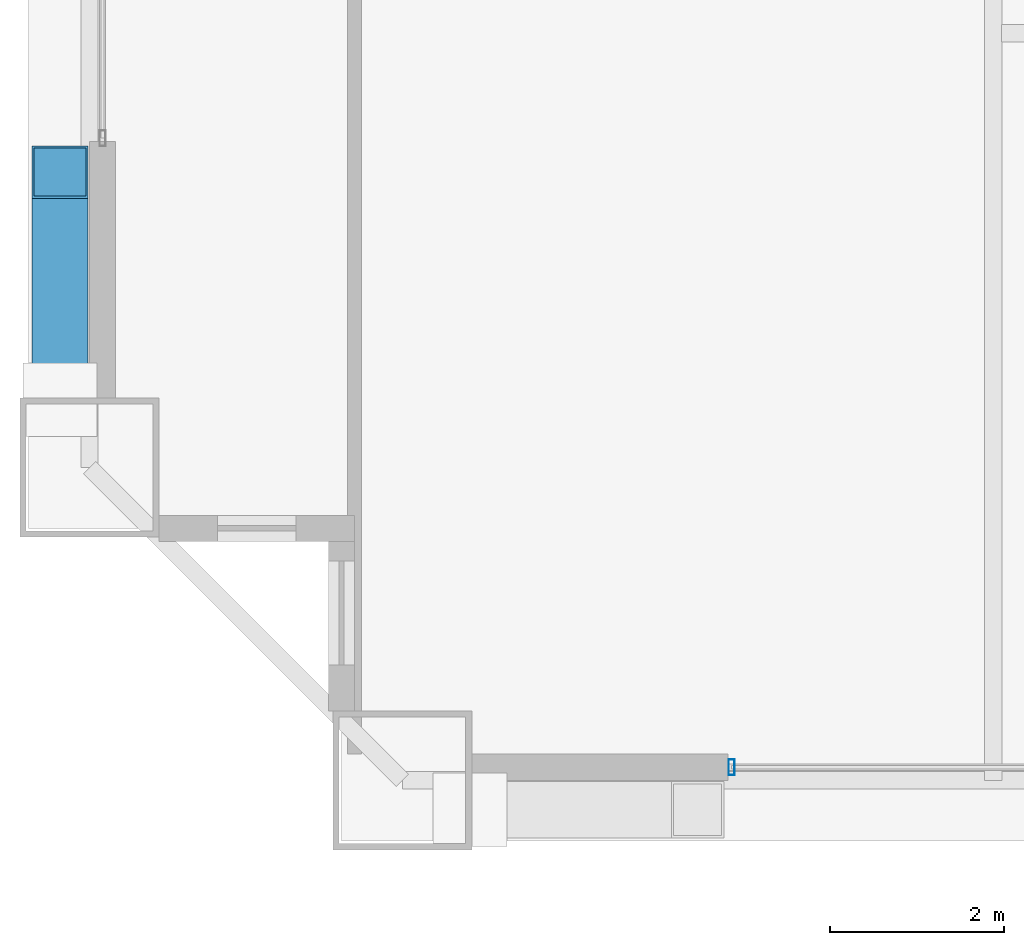
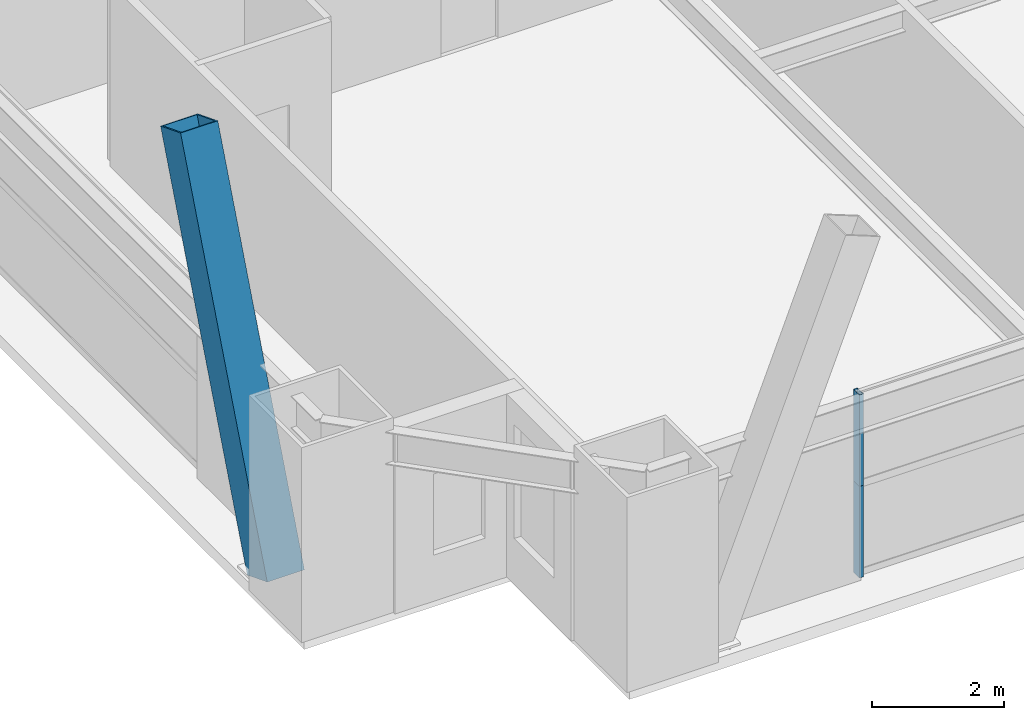
# One storey, part 4 of 43: 3 members, 1 element without a shape of its own.
"""IFC4 building model written with IfcOpenShell, lengths in metres."""

from ifc_helpers import new_model, si_unit, direction, frame, origin, origin_2d, place, context, subcontext, project, spatial, hollow_rectangle, extrude, source, transform, mapped, material, layer, layer_set, material_profile, profile_set, type_object, element, aggregate, save


model = new_model("IFC4")

# Units and contexts
model_context = context("Model", 3, precision=1e-05, world=origin(), true_north=direction((0.0, 1.0)))
body_context = subcontext(model_context, "Body", "Model", "MODEL_VIEW")
ifc_project = project(units=[si_unit("LENGTHUNIT", "METRE"), si_unit("AREAUNIT", "SQUARE_METRE"), si_unit("VOLUMEUNIT", "CUBIC_METRE"), si_unit("PLANEANGLEUNIT", "RADIAN"), si_unit("MASSUNIT", "GRAM", prefix="KILO"), si_unit("THERMODYNAMICTEMPERATUREUNIT", "KELVIN"), si_unit("POWERUNIT", "WATT")], contexts=[model_context])

# Site, building, storey
site_placement = place(None, origin())
site = spatial("IfcSite", under=ifc_project, at=site_placement, CompositionType="ELEMENT")
building_placement = place(site_placement, origin())
building = spatial("IfcBuilding", under=site, at=building_placement, Name="Yuzanri Waterfront Tower", CompositionType="ELEMENT")
storey_placement = place(building_placement, frame((0.0, 0.0, 138.0)))
storey = spatial("IfcBuildingStorey", under=building, at=storey_placement, Name="L36", CompositionType="ELEMENT", Elevation=138.0)

# Member
ifc_material_1 = material(Name="Steel Q420GJC", Category="steel")
ifc_material_profile_1 = material_profile(ifc_material_1, hollow_rectangle(XDim=0.64990234375, YDim=0.64990234375, WallThickness=0.028076171875, at=origin_2d()), Name="RHS 650x650x28")
ifc_profile_set_1 = profile_set([ifc_material_profile_1], Name="Steel Q420GJC")
member_type_1 = type_object("IfcMemberType", Name="Mega Brace Lower Q420GJC RHS 650x650x28", PredefinedType="BRACE", material=ifc_profile_set_1)
shared_shape_1 = source(origin(), body_context, "Body", "SweptSolid", [
    extrude(hollow_rectangle(XDim=0.64990234375, YDim=0.64990234375, WallThickness=0.028076171875, at=origin_2d()), origin(), (0.0, 0.0, 1.0), 7.19384765625),
])
member_1_placement = place(storey_placement, frame((13.06005859375, 6.580078125, 0.179931640625), z_axis=(0.0, 0.36417668996, 0.9313298763), x_axis=(-1.0, 0.0, 0.0)))
element("IfcMember", 1, at=member_1_placement, inside=storey, type_object=member_type_1, Name="L36-L37 Perimeter Mega-Brace W-L", PredefinedType="BRACE", context=body_context, shape_type="MappedRepresentation", body=[
    mapped(shared_shape_1, transform((0.0, 0.0, 0.0), scale=1.0)),
])

# Curtain wall, members
ifc_material_2 = material(Name="Anodized Architectural Bronze", Category="metal")
ifc_layer = layer(ifc_material_2, 0.159912109375)
ifc_layer_set = layer_set([ifc_layer], Name="Anodized Architectural Bronze")
curtain_wall_type = type_object("IfcCurtainWallType", Name="Anodized Bronze Hotel Upper-Tier Solar-Control Unitized Curtain Wall 7800", PredefinedType="NOTDEFINED", material=ifc_layer_set)
curtain_wall_placement = place(storey_placement, origin())
curtain_wall = element("IfcCurtainWall", 2, at=curtain_wall_placement, inside=storey, type_object=curtain_wall_type, Name="L36 Curtain Wall CW-L36-SL1", PredefinedType="NOTDEFINED")
ifc_material_3 = material(Name="Anodized Architectural Bronze", Category="metal")
ifc_material_profile_2 = material_profile(ifc_material_3, hollow_rectangle(XDim=0.070068359375, YDim=0.179931640625, WallThickness=0.00390625, at=origin_2d()), Name="CWM 70x180")
ifc_profile_set_2 = profile_set([ifc_material_profile_2], Name="Anodized Architectural Bronze")
member_type_2 = type_object("IfcMemberType", Name="Anodized Bronze Standard Curtain-Wall Mullion 70x180", PredefinedType="MULLION", material=ifc_profile_set_2)
shared_shape_2 = source(origin(), body_context, "Body", "SweptSolid", [
    extrude(hollow_rectangle(XDim=0.070068359375, YDim=0.179931640625, WallThickness=0.00390625, at=origin_2d()), origin(), (0.0, 0.0, 1.0), 1.68798828125),
])
member_2_placement = place(storey_placement, frame((20.7900390625, 2.35009765625, 0.0), z_axis=(0.0, 0.0, 1.0), x_axis=(1.0, 0.0, 0.0)))
member_2 = element("IfcMember", 3, at=member_2_placement, type_object=member_type_2, Name="CW-L36-SL1 Lower Mullion 00", PredefinedType="MULLION", context=body_context, shape_type="MappedRepresentation", body=[
    mapped(shared_shape_2, transform((0.0, 0.0, 0.0), scale=1.0)),
])
member_3_placement = place(storey_placement, frame((20.7900390625, 2.35009765625, 1.69189453125), z_axis=(0.0, 0.0, 1.0), x_axis=(1.0, 0.0, 0.0)))
member_3 = element("IfcMember", 4, at=member_3_placement, type_object=member_type_2, Name="CW-L36-SL1 Upper Mullion 00", PredefinedType="MULLION", context=body_context, shape_type="MappedRepresentation", body=[
    mapped(shared_shape_2, transform((0.0, 0.0, 0.0), scale=1.0)),
])
aggregate(curtain_wall, [member_2, member_3])

save(model, "model.ifc")
